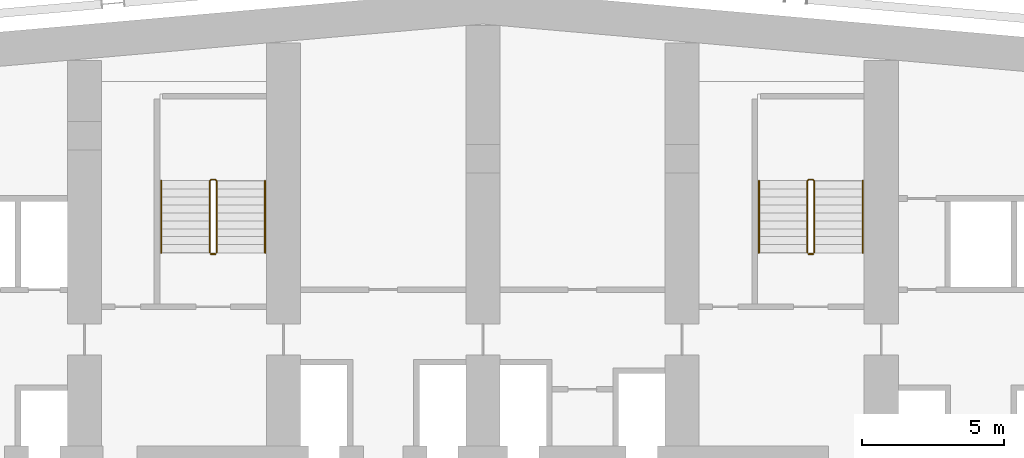
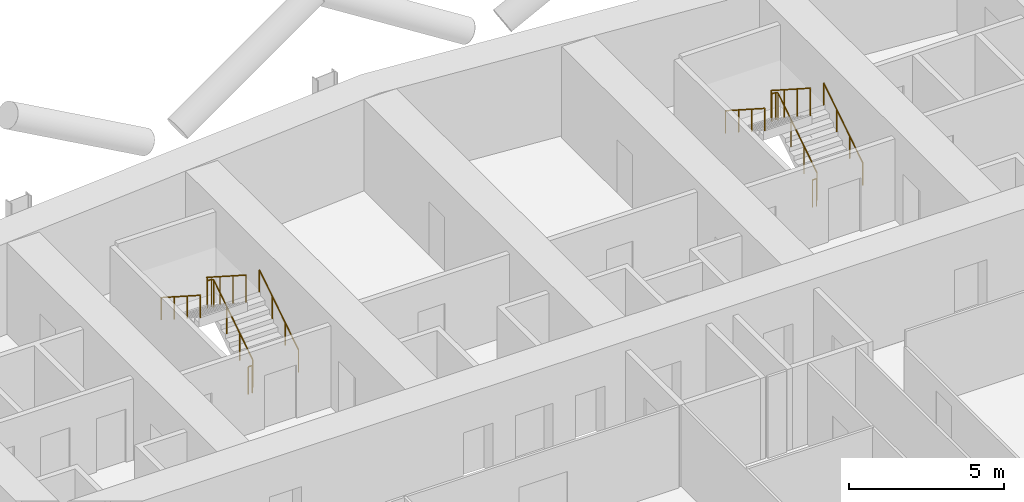
# One storey, part 26 of 27: 8 railings.
"""IFC4 building model written with IfcOpenShell, lengths in metres."""

from ifc_helpers import new_model, si_unit, direction, frame, origin, origin_2d, place, context, subcontext, project, spatial, circle, extrude, material, type_object, element, save


model = new_model("IFC4")

# Units and contexts
model_context = context("Model", 3, precision=1e-05, world=origin(), true_north=direction((0.0, 1.0)))
body_context = subcontext(model_context, "Body", "Model", "MODEL_VIEW")
ifc_project = project(units=[si_unit("LENGTHUNIT", "METRE"), si_unit("AREAUNIT", "SQUARE_METRE"), si_unit("VOLUMEUNIT", "CUBIC_METRE"), si_unit("PLANEANGLEUNIT", "RADIAN"), si_unit("MASSUNIT", "GRAM", prefix="KILO")], contexts=[model_context])

# Site, building, storey
site_placement = place(None, origin())
site = spatial("IfcSite", under=ifc_project, at=site_placement, CompositionType="ELEMENT")
building_placement = place(site_placement, origin())
building = spatial("IfcBuilding", under=site, at=building_placement, Name="Wharfspan Tower", CompositionType="ELEMENT")
storey_placement = place(building_placement, frame((0.0, 0.0, 77.5)))
storey = spatial("IfcBuildingStorey", under=building, at=storey_placement, Name="L16", CompositionType="ELEMENT", Elevation=77.5)

# Railings
ifc_material = material(Name="Steel S355J2", Category="steel")
railing_type_1 = type_object("IfcRailingType", Name="Stair guard 1100", PredefinedType="GUARDRAIL", material=ifc_material)
railing_1_placement = place(storey_placement, frame((27.649902, 42.0, 0.179932)))
element("IfcRailing", 1, at=railing_1_placement, inside=storey, type_object=railing_type_1, Name="L16 ST1 stair guard 1", PredefinedType="GUARDRAIL", context=body_context, shape_type="SweptSolid", body=[
    extrude(circle(Radius=0.023926, at=origin_2d()), frame((0.0, 0.0, 1.076172), z_axis=(0.0, 0.841163, 0.540782), x_axis=(-1.0, 0.0, 0.0)), (0.0, 0.0, 1.0), 2.99585),
    extrude(circle(Radius=0.023926, at=origin_2d()), frame((0.0, 2.52002, 2.696289), z_axis=(-0.705376, 0.708834, 0.0), x_axis=(-0.708834, -0.705376, 0.0)), (0.0, 0.0, 1.0), 0.070557),
    extrude(circle(Radius=0.023926, at=origin_2d()), frame((-0.049805, 2.570068, 2.696289), z_axis=(-1.0, 0.0, 0.0), x_axis=(0.0, -1.0, 0.0)), (0.0, 0.0, 1.0), 0.150146),
    extrude(circle(Radius=0.023926, at=origin_2d()), frame((-0.199951, 2.570068, 2.696289), z_axis=(-0.258848, -0.258848, 0.930589), x_axis=(0.707107, -0.707107, 0.0)), (0.0, 0.0, 1.0), 0.193359),
    extrude(circle(Radius=0.023926, at=origin_2d()), frame((-0.25, 2.52002, 2.875977), z_axis=(0.0, -0.841163, 0.540782), x_axis=(1.0, 0.0, 0.0)), (0.0, 0.0, 1.0), 2.99585),
    extrude(circle(Radius=0.020996, at=origin_2d()), origin(), (0.0, 0.0, 1.0), 1.052002),
    extrude(circle(Radius=0.020996, at=origin_2d()), frame((0.0, 0.840088, 0.540039)), (0.0, 0.0, 1.0), 1.052002),
    extrude(circle(Radius=0.020996, at=origin_2d()), frame((0.0, 1.679932, 1.080078)), (0.0, 0.0, 1.0), 1.052002),
    extrude(circle(Radius=0.020996, at=origin_2d()), frame((0.0, 2.52002, 1.620117)), (0.0, 0.0, 1.0), 1.052002),
    extrude(circle(Radius=0.020996, at=origin_2d()), frame((-0.049805, 2.570068, 1.620117)), (0.0, 0.0, 1.0), 1.052002),
    extrude(circle(Radius=0.020996, at=origin_2d()), frame((-0.199951, 2.570068, 1.620117)), (0.0, 0.0, 1.0), 1.052002),
    extrude(circle(Radius=0.020996, at=origin_2d()), frame((-0.25, 2.52002, 1.800049)), (0.0, 0.0, 1.0), 1.052002),
    extrude(circle(Radius=0.020996, at=origin_2d()), frame((-0.25, 1.679932, 2.340088)), (0.0, 0.0, 1.0), 1.052002),
    extrude(circle(Radius=0.020996, at=origin_2d()), frame((-0.25, 0.840088, 2.880127)), (0.0, 0.0, 1.0), 1.052002),
    extrude(circle(Radius=0.020996, at=origin_2d()), frame((-0.25, 0.0, 3.420166)), (0.0, 0.0, 1.0), 1.052002),
])
railing_2_placement = place(storey_placement, frame((27.600098, 41.949951, 0.0)))
element("IfcRailing", 2, at=railing_2_placement, inside=storey, type_object=railing_type_1, Name="L16 ST1 stair guard 2", PredefinedType="GUARDRAIL", context=body_context, shape_type="SweptSolid", body=[
    extrude(circle(Radius=0.023926, at=origin_2d()), frame((0.0, 0.0, 1.076172), z_axis=(-1.0, 0.0, 0.0), x_axis=(0.0, -1.0, 0.0)), (0.0, 0.0, 1.0), 0.150146),
    extrude(circle(Radius=0.020996, at=origin_2d()), origin(), (0.0, 0.0, 1.0), 1.052002),
    extrude(circle(Radius=0.020996, at=origin_2d()), frame((-0.150146, 0.0, 0.0)), (0.0, 0.0, 1.0), 1.052002),
])
railing_3_placement = place(storey_placement, frame((48.649902, 42.0, 0.179932)))
element("IfcRailing", 3, at=railing_3_placement, inside=storey, type_object=railing_type_1, Name="L16 ST2 stair guard 1", PredefinedType="GUARDRAIL", context=body_context, shape_type="SweptSolid", body=[
    extrude(circle(Radius=0.023926, at=origin_2d()), frame((0.0, 0.0, 1.076172), z_axis=(0.0, 0.841163, 0.540782), x_axis=(-1.0, 0.0, 0.0)), (0.0, 0.0, 1.0), 2.99585),
    extrude(circle(Radius=0.023926, at=origin_2d()), frame((0.0, 2.52002, 2.696289), z_axis=(-0.705376, 0.708834, 0.0), x_axis=(-0.708834, -0.705376, 0.0)), (0.0, 0.0, 1.0), 0.070557),
    extrude(circle(Radius=0.023926, at=origin_2d()), frame((-0.049805, 2.570068, 2.696289), z_axis=(-1.0, 0.0, 0.0), x_axis=(0.0, -1.0, 0.0)), (0.0, 0.0, 1.0), 0.150146),
    extrude(circle(Radius=0.023926, at=origin_2d()), frame((-0.199951, 2.570068, 2.696289), z_axis=(-0.258848, -0.258848, 0.930589), x_axis=(0.707107, -0.707107, 0.0)), (0.0, 0.0, 1.0), 0.193359),
    extrude(circle(Radius=0.023926, at=origin_2d()), frame((-0.25, 2.52002, 2.875977), z_axis=(0.0, -0.841163, 0.540782), x_axis=(1.0, 0.0, 0.0)), (0.0, 0.0, 1.0), 2.99585),
    extrude(circle(Radius=0.020996, at=origin_2d()), origin(), (0.0, 0.0, 1.0), 1.052002),
    extrude(circle(Radius=0.020996, at=origin_2d()), frame((0.0, 0.840088, 0.540039)), (0.0, 0.0, 1.0), 1.052002),
    extrude(circle(Radius=0.020996, at=origin_2d()), frame((0.0, 1.679932, 1.080078)), (0.0, 0.0, 1.0), 1.052002),
    extrude(circle(Radius=0.020996, at=origin_2d()), frame((0.0, 2.52002, 1.620117)), (0.0, 0.0, 1.0), 1.052002),
    extrude(circle(Radius=0.020996, at=origin_2d()), frame((-0.049805, 2.570068, 1.620117)), (0.0, 0.0, 1.0), 1.052002),
    extrude(circle(Radius=0.020996, at=origin_2d()), frame((-0.199951, 2.570068, 1.620117)), (0.0, 0.0, 1.0), 1.052002),
    extrude(circle(Radius=0.020996, at=origin_2d()), frame((-0.25, 2.52002, 1.800049)), (0.0, 0.0, 1.0), 1.052002),
    extrude(circle(Radius=0.020996, at=origin_2d()), frame((-0.25, 1.679932, 2.340088)), (0.0, 0.0, 1.0), 1.052002),
    extrude(circle(Radius=0.020996, at=origin_2d()), frame((-0.25, 0.840088, 2.880127)), (0.0, 0.0, 1.0), 1.052002),
    extrude(circle(Radius=0.020996, at=origin_2d()), frame((-0.25, 0.0, 3.420166)), (0.0, 0.0, 1.0), 1.052002),
])
railing_4_placement = place(storey_placement, frame((48.600098, 41.949951, 0.0)))
element("IfcRailing", 4, at=railing_4_placement, inside=storey, type_object=railing_type_1, Name="L16 ST2 stair guard 2", PredefinedType="GUARDRAIL", context=body_context, shape_type="SweptSolid", body=[
    extrude(circle(Radius=0.023926, at=origin_2d()), frame((0.0, 0.0, 1.076172), z_axis=(-1.0, 0.0, 0.0), x_axis=(0.0, -1.0, 0.0)), (0.0, 0.0, 1.0), 0.150146),
    extrude(circle(Radius=0.020996, at=origin_2d()), origin(), (0.0, 0.0, 1.0), 1.052002),
    extrude(circle(Radius=0.020996, at=origin_2d()), frame((-0.150146, 0.0, 0.0)), (0.0, 0.0, 1.0), 1.052002),
])
railing_type_2 = type_object("IfcRailingType", Name="Stair handrail 900", PredefinedType="HANDRAIL", material=ifc_material)
railing_5_placement = place(storey_placement, frame((29.350098, 42.0, 0.179932)))
element("IfcRailing", 5, at=railing_5_placement, inside=storey, type_object=railing_type_2, Name="L16 ST1 stair handrail 1", PredefinedType="HANDRAIL", context=body_context, shape_type="SweptSolid", body=[
    extrude(circle(Radius=0.023926, at=origin_2d()), frame((0.0, 0.0, 0.875977), z_axis=(0.0, 0.841163, 0.540782), x_axis=(-1.0, 0.0, 0.0)), (0.0, 0.0, 1.0), 2.99585),
    extrude(circle(Radius=0.020996, at=origin_2d()), origin(), (0.0, 0.0, 1.0), 0.851807),
    extrude(circle(Radius=0.020996, at=origin_2d()), frame((0.0, 0.840088, 0.540039)), (0.0, 0.0, 1.0), 0.851807),
    extrude(circle(Radius=0.020996, at=origin_2d()), frame((0.0, 1.679932, 1.080078)), (0.0, 0.0, 1.0), 0.851807),
    extrude(circle(Radius=0.020996, at=origin_2d()), frame((0.0, 2.52002, 1.620117)), (0.0, 0.0, 1.0), 0.851807),
])
railing_6_placement = place(storey_placement, frame((25.699951, 44.52002, 1.97998)))
element("IfcRailing", 6, at=railing_6_placement, inside=storey, type_object=railing_type_2, Name="L16 ST1 stair handrail 2", PredefinedType="HANDRAIL", context=body_context, shape_type="SweptSolid", body=[
    extrude(circle(Radius=0.023926, at=origin_2d()), frame((0.0, 0.0, 0.875977), z_axis=(0.0, -0.841163, 0.540782), x_axis=(1.0, 0.0, 0.0)), (0.0, 0.0, 1.0), 2.99585),
    extrude(circle(Radius=0.020996, at=origin_2d()), origin(), (0.0, 0.0, 1.0), 0.851807),
    extrude(circle(Radius=0.020996, at=origin_2d()), frame((0.0, -0.840088, 0.540039)), (0.0, 0.0, 1.0), 0.851807),
    extrude(circle(Radius=0.020996, at=origin_2d()), frame((0.0, -1.679932, 1.080078)), (0.0, 0.0, 1.0), 0.851807),
    extrude(circle(Radius=0.020996, at=origin_2d()), frame((0.0, -2.52002, 1.620117)), (0.0, 0.0, 1.0), 0.851807),
])
railing_7_placement = place(storey_placement, frame((50.350098, 42.0, 0.179932)))
element("IfcRailing", 7, at=railing_7_placement, inside=storey, type_object=railing_type_2, Name="L16 ST2 stair handrail 1", PredefinedType="HANDRAIL", context=body_context, shape_type="SweptSolid", body=[
    extrude(circle(Radius=0.023926, at=origin_2d()), frame((0.0, 0.0, 0.875977), z_axis=(0.0, 0.841163, 0.540782), x_axis=(-1.0, 0.0, 0.0)), (0.0, 0.0, 1.0), 2.99585),
    extrude(circle(Radius=0.020996, at=origin_2d()), origin(), (0.0, 0.0, 1.0), 0.851807),
    extrude(circle(Radius=0.020996, at=origin_2d()), frame((0.0, 0.840088, 0.540039)), (0.0, 0.0, 1.0), 0.851807),
    extrude(circle(Radius=0.020996, at=origin_2d()), frame((0.0, 1.679932, 1.080078)), (0.0, 0.0, 1.0), 0.851807),
    extrude(circle(Radius=0.020996, at=origin_2d()), frame((0.0, 2.52002, 1.620117)), (0.0, 0.0, 1.0), 0.851807),
])
railing_8_placement = place(storey_placement, frame((46.699951, 44.52002, 1.97998)))
element("IfcRailing", 8, at=railing_8_placement, inside=storey, type_object=railing_type_2, Name="L16 ST2 stair handrail 2", PredefinedType="HANDRAIL", context=body_context, shape_type="SweptSolid", body=[
    extrude(circle(Radius=0.023926, at=origin_2d()), frame((0.0, 0.0, 0.875977), z_axis=(0.0, -0.841163, 0.540782), x_axis=(1.0, 0.0, 0.0)), (0.0, 0.0, 1.0), 2.99585),
    extrude(circle(Radius=0.020996, at=origin_2d()), origin(), (0.0, 0.0, 1.0), 0.851807),
    extrude(circle(Radius=0.020996, at=origin_2d()), frame((0.0, -0.840088, 0.540039)), (0.0, 0.0, 1.0), 0.851807),
    extrude(circle(Radius=0.020996, at=origin_2d()), frame((0.0, -1.679932, 1.080078)), (0.0, 0.0, 1.0), 0.851807),
    extrude(circle(Radius=0.020996, at=origin_2d()), frame((0.0, -2.52002, 1.620117)), (0.0, 0.0, 1.0), 0.851807),
])

save(model, "model.ifc")
